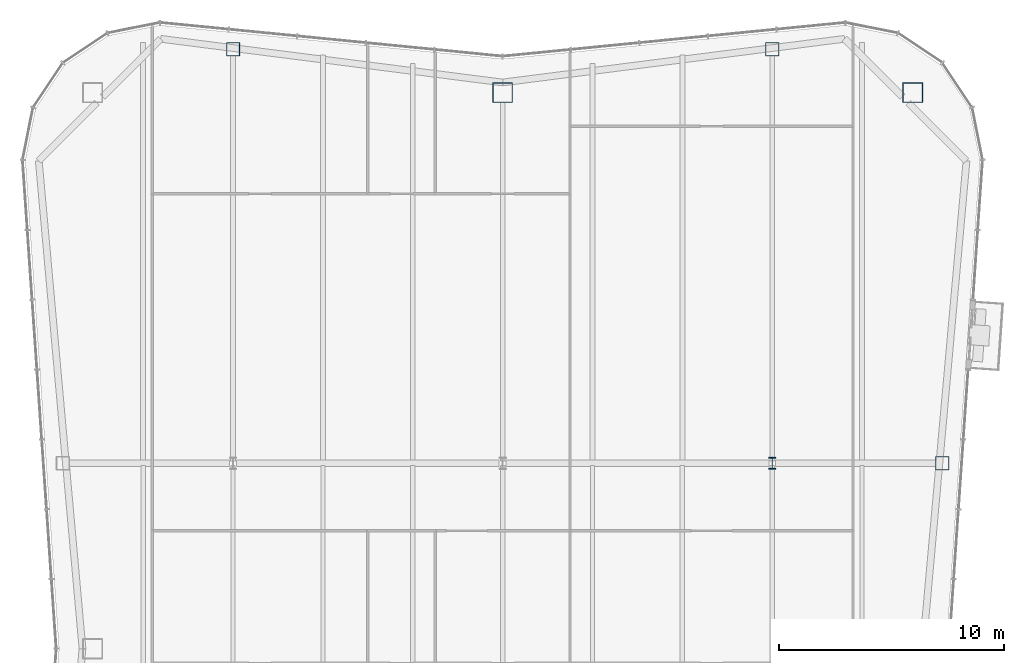
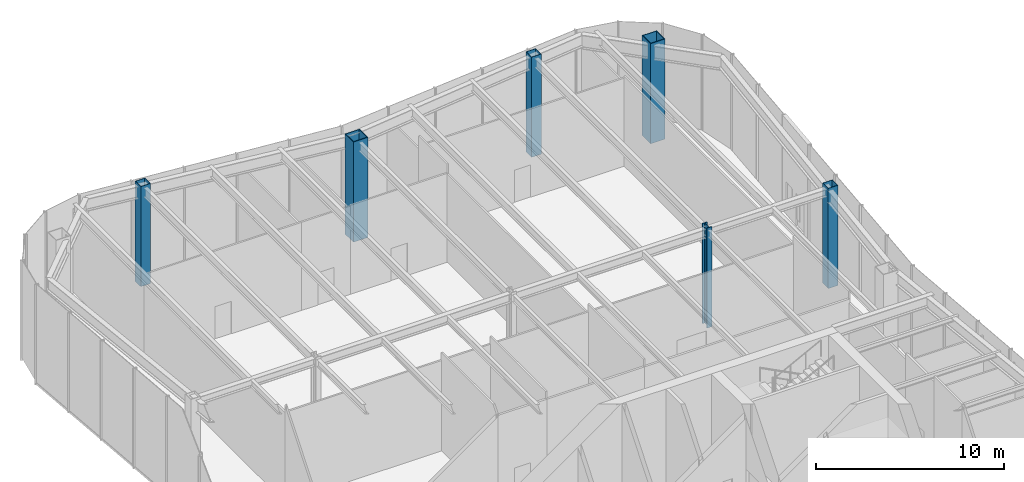
# One storey, part 2 of 15: 6 columns.
"""IFC4 building model written with IfcOpenShell, lengths in metres."""

from ifc_helpers import new_model, si_unit, direction, frame, origin, origin_2d, place, context, subcontext, project, spatial, hollow_rectangle, i_section, extrude, material, material_profile, profile_set, type_object, element, save


model = new_model("IFC4")

# Units and contexts
model_context = context("Model", 3, precision=1e-05, world=origin(), true_north=direction((0.0, 1.0)))
body_context = subcontext(model_context, "Body", "Model", "MODEL_VIEW")
ifc_project = project(units=[si_unit("LENGTHUNIT", "METRE"), si_unit("AREAUNIT", "SQUARE_METRE"), si_unit("VOLUMEUNIT", "CUBIC_METRE"), si_unit("PLANEANGLEUNIT", "RADIAN"), si_unit("MASSUNIT", "GRAM", prefix="KILO")], contexts=[model_context])

# Site, building, storey
site_placement = place(None, origin())
site = spatial("IfcSite", under=ifc_project, at=site_placement, CompositionType="ELEMENT")
building_placement = place(site_placement, origin())
building = spatial("IfcBuilding", under=site, at=building_placement, Name="Verdant Reach Tower", CompositionType="ELEMENT")
storey_placement = place(building_placement, frame((0.0, 0.0, 334.0)))
storey = spatial("IfcBuildingStorey", under=building, at=storey_placement, Name="L77", CompositionType="ELEMENT", Elevation=334.0)

# Columns
ifc_material = material(Name="Steel S460", Category="steel")
ifc_material_profile_1 = material_profile(ifc_material, i_section(OverallWidth=0.305908203125, OverallDepth=0.52392578125, WebThickness=0.012451171875, FlangeThickness=0.0400390625, FilletRadius=0.027099609375, at=origin_2d()), Name="HEM 500")
ifc_profile_set_1 = profile_set([ifc_material_profile_1], Name="Steel S460")
column_type_1 = type_object("IfcColumnType", Name="ST-COL-HEM500", PredefinedType="COLUMN", material=ifc_profile_set_1)
column_placement = place(storey_placement, frame((12.0, 49.5, 0.0), z_axis=(0.0, 0.0, 1.0), x_axis=(1.0, 0.0, 0.0)))
element("IfcColumn", 1, at=column_placement, inside=storey, type_object=column_type_1, Name="Interior column 3, L77", PredefinedType="COLUMN", context=body_context, shape_type="SweptSolid", body=[
    extrude(i_section(OverallWidth=0.305908203125, OverallDepth=0.52392578125, WebThickness=0.012451171875, FlangeThickness=0.0400390625, FilletRadius=0.027099609375, at=origin_2d()), origin(), (0.0, 0.0, 1.0), 6.5),
])
ifc_material_profile_2 = material_profile(ifc_material, hollow_rectangle(XDim=0.60009765625, YDim=0.60009765625, WallThickness=0.02490234375, at=origin_2d()), Name="WB 600x600x25")
ifc_profile_set_2 = profile_set([ifc_material_profile_2], Name="Steel S460")
column_type_2 = type_object("IfcColumnType", Name="ST-COL-WB600x600x25", PredefinedType="COLUMN", material=ifc_profile_set_2)
for number, where, z_axis, x_axis, name in (
    (2, (-12.0, 67.930419921875, 0.0), (0.0, 0.0, 1.0), (1.0, 0.0, 0.0), "Perimeter column north 1, L77"),
    (3, (12.0, 67.930419921875, 0.0), (0.0, 0.0, 1.0), (1.0, 0.0, 0.0), "Perimeter column north 2, L77"),
    (4, (19.569091796875, 49.5, 0.0), (0.0, 0.0, 1.0), (1.0, 0.0, 0.0), "Perimeter column east 2, L77"),
):
    element("IfcColumn", number, at=place(storey_placement, frame(where, z_axis=z_axis, x_axis=x_axis)), inside=storey, type_object=column_type_2, Name=name, PredefinedType="COLUMN", context=body_context, shape_type="SweptSolid", body=[
        extrude(hollow_rectangle(XDim=0.60009765625, YDim=0.60009765625, WallThickness=0.02490234375, at=origin_2d()), origin(), (0.0, 0.0, 1.0), 6.5),
    ])
ifc_material_profile_3 = material_profile(ifc_material, hollow_rectangle(XDim=0.89990234375, YDim=0.89990234375, WallThickness=0.0400390625, at=origin_2d()), Name="WB 900x900x40")
ifc_profile_set_3 = profile_set([ifc_material_profile_3], Name="Steel S460")
column_type_3 = type_object("IfcColumnType", Name="ST-COL-WB900x900x40", PredefinedType="COLUMN", material=ifc_profile_set_3)
for number, where, z_axis, x_axis, name in (
    (5, (0.0, 66.0, 0.0), (0.0, 0.0, 1.0), (1.0, 0.0, 0.0), "Mega column north, L77"),
    (6, (18.25, 66.0, 0.0), (0.0, 0.0, 1.0), (1.0, 0.0, 0.0), "Mega column north-east, L77"),
):
    element("IfcColumn", number, at=place(storey_placement, frame(where, z_axis=z_axis, x_axis=x_axis)), inside=storey, type_object=column_type_3, Name=name, PredefinedType="COLUMN", context=body_context, shape_type="SweptSolid", body=[
        extrude(hollow_rectangle(XDim=0.89990234375, YDim=0.89990234375, WallThickness=0.0400390625, at=origin_2d()), origin(), (0.0, 0.0, 1.0), 6.5),
    ])

save(model, "model.ifc")
